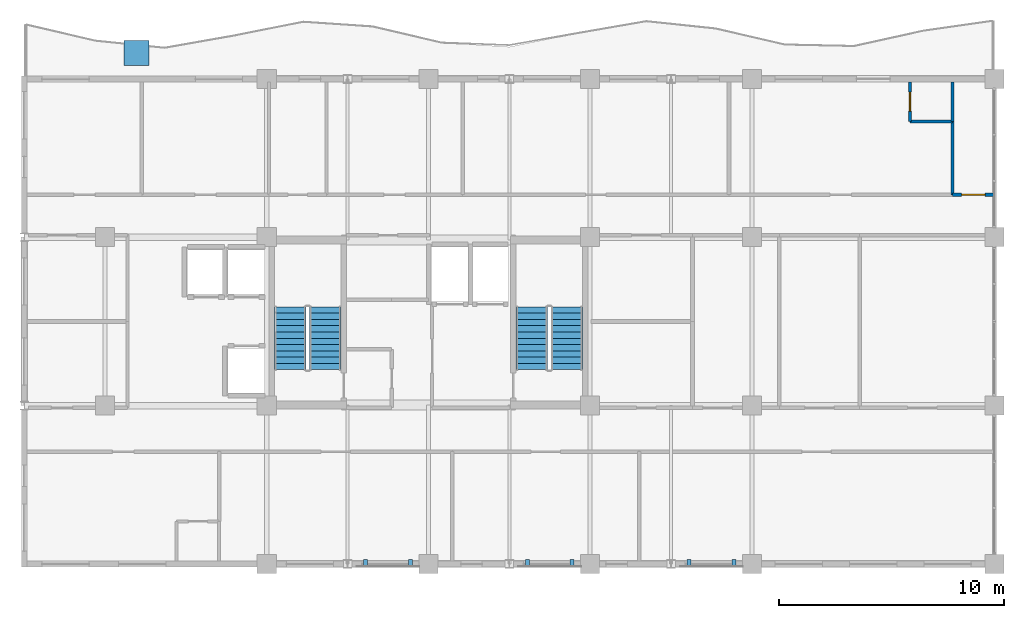
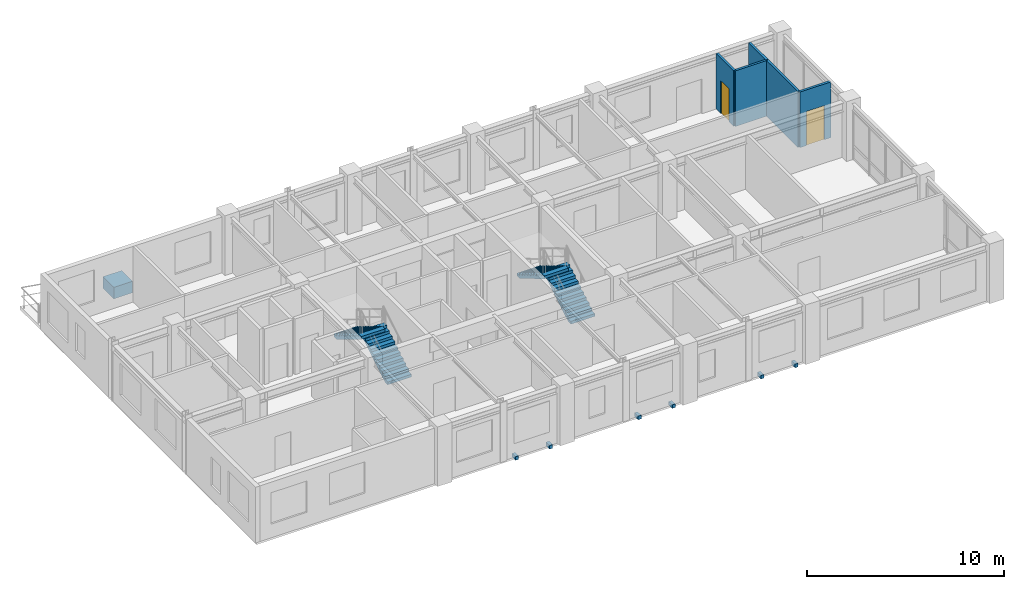
# One storey, part 9 of 11: 7 discrete accessories, 5 walls, 4 stair flights, 2 doors, 2 openings, 2 elements without a shape of their own.
"""IFC4 building model written with IfcOpenShell, lengths in metres."""

from ifc_helpers import new_model, si_unit, direction, frame, frame_2d, origin, origin_2d, place, context, subcontext, project, spatial, polyline, rectangle, outline, extrude, source, transform, mapped, material, layer, layer_set, type_object, element, fill, aggregate, save


model = new_model("IFC4")

# Units and contexts
model_context = context("Model", 3, precision=1e-05, world=origin(), true_north=direction((0.0, 1.0)))
body_context = subcontext(model_context, "Body", "Model", "MODEL_VIEW")
ifc_project = project(units=[si_unit("LENGTHUNIT", "METRE"), si_unit("AREAUNIT", "SQUARE_METRE"), si_unit("VOLUMEUNIT", "CUBIC_METRE"), si_unit("PLANEANGLEUNIT", "RADIAN"), si_unit("MASSUNIT", "GRAM", prefix="KILO")], contexts=[model_context])

# Site, building, storey
site_placement = place(None, origin())
site = spatial("IfcSite", under=ifc_project, at=site_placement, CompositionType="ELEMENT")
building_placement = place(site_placement, origin())
building = spatial("IfcBuilding", under=site, at=building_placement, Name="Kaliganga Portal Commons", CompositionType="ELEMENT")
storey_placement = place(building_placement, frame((0.0, 0.0, 257.300048828125)))
storey = spatial("IfcBuildingStorey", under=building, at=storey_placement, Name="L66", CompositionType="ELEMENT", Elevation=257.300048828125)

# Wall, opening, door
ifc_material_1 = material(Name="Fire-Rated Gypsum Board on Steel Stud", Category="steel")
ifc_layer_1 = layer(ifc_material_1, 0.14990234375)
ifc_layer_set_1 = layer_set([ifc_layer_1], Name="Fire-Rated Gypsum Board on Steel Stud")
wall_type_1 = type_object("IfcWallType", Name="WL-PART-CORR-150", PredefinedType="PARTITIONING", material=ifc_layer_set_1)
wall_1_placement = place(storey_placement, frame((44.93994140625, 38.0400390625, 0.0), z_axis=(0.0, 0.0, 1.0), x_axis=(1.0, 0.0, 0.0)))
wall_1 = element("IfcWall", 1, at=wall_1_placement, inside=storey, type_object=wall_type_1, Name="Interior Partition L66-038", PredefinedType="PARTITIONING", context=body_context, shape_type="SweptSolid", body=[
    extrude(rectangle(XDim=1.840087890625, YDim=0.14990234375, at=frame_2d((0.919921875, 0.0))), origin(), (0.0, 0.0, 1.0), 3.454833984375),
])
opening_1_placement = place(wall_1_placement, frame((0.39501953125, 0.0, 0.0)))
opening_1 = element("IfcOpeningElement", 2, at=opening_1_placement, cuts=wall_1, Name="Opening UD-02", PredefinedType="OPENING", context=body_context, shape_type="SweptSolid", body=[
    extrude(rectangle(XDim=1.050048828125, YDim=2.1201171875, at=frame_2d((0.52490234375, 1.06005859375))), frame((0.0, 0.0849609375, 0.0), z_axis=(0.0, -1.0, 0.0), x_axis=(1.0, 0.0, 0.0)), (0.0, 0.0, 1.0), 0.169921875),
])
ifc_material_2 = material(Name="Accessible Wide-Leaf Acoustic Fire Door", Category="wood")
door_type_1 = type_object("IfcDoorType", Name="DR-ACC-1050", OperationType="NOTDEFINED", PredefinedType="DOOR", material=ifc_material_2)
door_1_placement = place(opening_1_placement, origin())
door_1 = element("IfcDoor", 3, at=door_1_placement, inside=storey, type_object=door_type_1, Name="Interior Door L66-AN07", OperationType="SINGLE_SWING_RIGHT", OverallHeight=2.1201171875, OverallWidth=1.050048828125, PredefinedType="DOOR", context=body_context, shape_type="SweptSolid", body=[
    extrude(rectangle(XDim=1.050048828125, YDim=2.1201171875, at=frame_2d((0.52490234375, 1.06005859375))), frame((0.0, 0.02490234375, 0.0), z_axis=(0.0, -1.0, 0.0), x_axis=(1.0, 0.0, 0.0)), (0.0, 0.0, 1.0), 0.050048828125),
])
fill(opening_1, door_1)

ifc_material_3 = material(Name="Cement-Board Wet-Room Partition", Category="gypsum")
ifc_layer_2 = layer(ifc_material_3, 0.135009765625)
ifc_layer_set_2 = layer_set([ifc_layer_2], Name="Cement-Board Wet-Room Partition")
wall_type_2 = type_object("IfcWallType", Name="WL-PART-WET-135", PredefinedType="PARTITIONING", material=ifc_layer_set_2)
wall_2_placement = place(storey_placement, frame((43.0400390625, 41.300048828125, 0.0), z_axis=(0.0, 0.0, 1.0), x_axis=(0.0, 1.0, 0.0)))
wall_2 = element("IfcWall", 4, at=wall_2_placement, inside=storey, type_object=wall_type_2, Name="Interior Partition L66-001", PredefinedType="PARTITIONING", context=body_context, shape_type="SweptSolid", body=[
    extrude(rectangle(XDim=1.76806640625, YDim=0.135009765625, at=frame_2d((0.884033203125, 0.0))), origin(), (0.0, 0.0, 1.0), 3.454833984375),
])
opening_2_placement = place(wall_2_placement, frame((0.458984375, 0.0, 0.0)))
opening_2 = element("IfcOpeningElement", 5, at=opening_2_placement, cuts=wall_2, Name="Opening WD-01", PredefinedType="OPENING", context=body_context, shape_type="SweptSolid", body=[
    extrude(rectangle(XDim=0.85009765625, YDim=2.0400390625, at=frame_2d((0.425048828125, 1.02001953125))), frame((0.0, 0.07763671875, 0.0), z_axis=(0.0, -1.0, 0.0), x_axis=(1.0, 0.0, 0.0)), (0.0, 0.0, 1.0), 0.155029296875),
])
ifc_material_4 = material(Name="Moisture-Resistant Laminate Timber Door", Category="wood")
door_type_2 = type_object("IfcDoorType", Name="DR-WET-850", OperationType="NOTDEFINED", PredefinedType="DOOR", material=ifc_material_4)
door_2_placement = place(opening_2_placement, origin())
door_2 = element("IfcDoor", 6, at=door_2_placement, inside=storey, type_object=door_type_2, Name="Interior Door L66-AN06E", OperationType="SINGLE_SWING_LEFT", OverallHeight=2.0400390625, OverallWidth=0.85009765625, PredefinedType="DOOR", context=body_context, shape_type="SweptSolid", body=[
    extrude(rectangle(XDim=0.85009765625, YDim=2.0400390625, at=frame_2d((0.425048828125, 1.02001953125))), frame((0.0, 0.02490234375, 0.0), z_axis=(0.0, -1.0, 0.0), x_axis=(1.0, 0.0, 0.0)), (0.0, 0.0, 1.0), 0.050048828125),
])
fill(opening_2, door_2)

# Walls
wall_3_placement = place(storey_placement, frame((44.93994140625, 41.300048828125, 0.0), z_axis=(0.0, 0.0, 1.0), x_axis=(0.0, 1.0, 0.0)))
element("IfcWall", 7, at=wall_3_placement, inside=storey, type_object=wall_type_2, Name="Interior Partition L66-002", PredefinedType="PARTITIONING", context=body_context, shape_type="SweptSolid", body=[
    extrude(rectangle(XDim=1.76806640625, YDim=0.135009765625, at=frame_2d((0.884033203125, 0.0))), origin(), (0.0, 0.0, 1.0), 3.454833984375),
])
wall_4_placement = place(storey_placement, frame((43.0400390625, 41.300048828125, 0.0), z_axis=(0.0, 0.0, 1.0), x_axis=(1.0, 0.0, 0.0)))
element("IfcWall", 8, at=wall_4_placement, inside=storey, type_object=wall_type_2, Name="Interior Partition L66-004", PredefinedType="PARTITIONING", context=body_context, shape_type="SweptSolid", body=[
    extrude(rectangle(XDim=1.89990234375, YDim=0.135009765625, at=frame_2d((0.949951171875, 0.0))), origin(), (0.0, 0.0, 1.0), 3.454833984375),
])
wall_5_placement = place(storey_placement, frame((44.93994140625, 38.0400390625, 0.0), z_axis=(0.0, 0.0, 1.0), x_axis=(0.0, 1.0, 0.0)))
element("IfcWall", 9, at=wall_5_placement, inside=storey, type_object=wall_type_2, Name="Interior Partition L66-055", PredefinedType="PARTITIONING", context=body_context, shape_type="SweptSolid", body=[
    extrude(rectangle(XDim=3.260009765625, YDim=0.135009765625, at=frame_2d((1.6298828125, 0.0))), origin(), (0.0, 0.0, 1.0), 3.454833984375),
])

# Stair, stair flights
ifc_material_5 = material(Name="Concrete C40/50", Category="concrete")
stair_type = type_object("IfcStairType", Name="ST-CORE-DOGLEG", PredefinedType="HALF_TURN_STAIR", material=ifc_material_5)
stair_1_placement = place(storey_placement, origin())
stair_1 = element("IfcStair", 10, at=stair_1_placement, inside=storey, type_object=stair_type, Name="L66 Protected Exit Stair ST-A1", PredefinedType="HALF_TURN_STAIR")
stair_flight_type = type_object("IfcStairFlightType", Name="STF-RC-1400", PredefinedType="STRAIGHT", material=ifc_material_5)
stair_flight_1_placement = place(storey_placement, frame((17.0, 30.25, 0.0), z_axis=(0.0, 0.0, 1.0), x_axis=(0.0, 1.0, 0.0)))
stair_flight_1 = element("IfcStairFlight", 11, at=stair_flight_1_placement, type_object=stair_flight_type, Name="ST-A1 flight 1", NumberOfRisers=11, NumberOfTreads=10, PredefinedType="STRAIGHT", RiserHeight=0.168181818, TreadLength=0.28, context=body_context, shape_type="SweptSolid", body=[
    extrude(outline(polyline([(0.0, 0.0), (0.0, 0.168212890625), (0.280029296875, 0.168212890625), (0.280029296875, 0.33642578125), (0.56005859375, 0.33642578125), (0.56005859375, 0.504638671875), (0.840087890625, 0.504638671875), (0.840087890625, 0.672607421875), (1.1201171875, 0.672607421875), (1.1201171875, 0.8408203125), (1.39990234375, 0.8408203125), (1.39990234375, 1.009033203125), (1.679931640625, 1.009033203125), (1.679931640625, 1.17724609375), (1.9599609375, 1.17724609375), (1.9599609375, 1.345458984375), (2.239990234375, 1.345458984375), (2.239990234375, 1.513671875), (2.52001953125, 1.513671875), (2.52001953125, 1.681884765625), (2.800048828125, 1.681884765625), (2.800048828125, 1.85009765625), (2.800048828125, 1.5068359375), (0.291015625, 0.0), (0.0, 0.0)])), frame((0.0, 0.699951171875, 0.0), z_axis=(0.0, -1.0, 0.0), x_axis=(1.0, 0.0, 0.0)), (0.0, 0.0, 1.0), 1.39990234375),
])
stair_flight_2_placement = place(storey_placement, frame((15.449951171875, 33.050048828125, 1.849853515625), z_axis=(0.0, 0.0, 1.0), x_axis=(0.0, -1.0, 0.0)))
stair_flight_2 = element("IfcStairFlight", 12, at=stair_flight_2_placement, type_object=stair_flight_type, Name="ST-A1 flight 2", NumberOfRisers=11, NumberOfTreads=10, PredefinedType="STRAIGHT", RiserHeight=0.168181818, TreadLength=0.28, context=body_context, shape_type="SweptSolid", body=[
    extrude(outline(polyline([(0.0, 0.0), (0.0, 0.168212890625), (0.280029296875, 0.168212890625), (0.280029296875, 0.33642578125), (0.56005859375, 0.33642578125), (0.56005859375, 0.504638671875), (0.840087890625, 0.504638671875), (0.840087890625, 0.672607421875), (1.1201171875, 0.672607421875), (1.1201171875, 0.8408203125), (1.39990234375, 0.8408203125), (1.39990234375, 1.009033203125), (1.679931640625, 1.009033203125), (1.679931640625, 1.17724609375), (1.9599609375, 1.17724609375), (1.9599609375, 1.345458984375), (2.239990234375, 1.345458984375), (2.239990234375, 1.513671875), (2.52001953125, 1.513671875), (2.52001953125, 1.681884765625), (2.800048828125, 1.681884765625), (2.800048828125, 1.85009765625), (2.800048828125, 1.5068359375), (0.291015625, 0.0), (0.0, 0.0)])), frame((0.0, 0.699951171875, 0.0), z_axis=(0.0, -1.0, 0.0), x_axis=(1.0, 0.0, 0.0)), (0.0, 0.0, 1.0), 1.39990234375),
])
aggregate(stair_1, [stair_flight_1, stair_flight_2])

stair_2_placement = place(storey_placement, origin())
stair_2 = element("IfcStair", 13, at=stair_2_placement, inside=storey, type_object=stair_type, Name="L66 Protected Exit Stair ST-A2", PredefinedType="HALF_TURN_STAIR")
stair_flight_3_placement = place(storey_placement, frame((27.75, 30.25, 0.0), z_axis=(0.0, 0.0, 1.0), x_axis=(0.0, 1.0, 0.0)))
stair_flight_3 = element("IfcStairFlight", 14, at=stair_flight_3_placement, type_object=stair_flight_type, Name="ST-A2 flight 1", NumberOfRisers=11, NumberOfTreads=10, PredefinedType="STRAIGHT", RiserHeight=0.168181818, TreadLength=0.28, context=body_context, shape_type="SweptSolid", body=[
    extrude(outline(polyline([(0.0, 0.0), (0.0, 0.168212890625), (0.280029296875, 0.168212890625), (0.280029296875, 0.33642578125), (0.56005859375, 0.33642578125), (0.56005859375, 0.504638671875), (0.840087890625, 0.504638671875), (0.840087890625, 0.672607421875), (1.1201171875, 0.672607421875), (1.1201171875, 0.8408203125), (1.39990234375, 0.8408203125), (1.39990234375, 1.009033203125), (1.679931640625, 1.009033203125), (1.679931640625, 1.17724609375), (1.9599609375, 1.17724609375), (1.9599609375, 1.345458984375), (2.239990234375, 1.345458984375), (2.239990234375, 1.513671875), (2.52001953125, 1.513671875), (2.52001953125, 1.681884765625), (2.800048828125, 1.681884765625), (2.800048828125, 1.85009765625), (2.800048828125, 1.5068359375), (0.291015625, 0.0), (0.0, 0.0)])), frame((0.0, 0.699951171875, 0.0), z_axis=(0.0, -1.0, 0.0), x_axis=(1.0, 0.0, 0.0)), (0.0, 0.0, 1.0), 1.39990234375),
])
stair_flight_4_placement = place(storey_placement, frame((26.199951171875, 33.050048828125, 1.849853515625), z_axis=(0.0, 0.0, 1.0), x_axis=(0.0, -1.0, 0.0)))
stair_flight_4 = element("IfcStairFlight", 15, at=stair_flight_4_placement, type_object=stair_flight_type, Name="ST-A2 flight 2", NumberOfRisers=11, NumberOfTreads=10, PredefinedType="STRAIGHT", RiserHeight=0.168181818, TreadLength=0.28, context=body_context, shape_type="SweptSolid", body=[
    extrude(outline(polyline([(0.0, 0.0), (0.0, 0.168212890625), (0.280029296875, 0.168212890625), (0.280029296875, 0.33642578125), (0.56005859375, 0.33642578125), (0.56005859375, 0.504638671875), (0.840087890625, 0.504638671875), (0.840087890625, 0.672607421875), (1.1201171875, 0.672607421875), (1.1201171875, 0.8408203125), (1.39990234375, 0.8408203125), (1.39990234375, 1.009033203125), (1.679931640625, 1.009033203125), (1.679931640625, 1.17724609375), (1.9599609375, 1.17724609375), (1.9599609375, 1.345458984375), (2.239990234375, 1.345458984375), (2.239990234375, 1.513671875), (2.52001953125, 1.513671875), (2.52001953125, 1.681884765625), (2.800048828125, 1.681884765625), (2.800048828125, 1.85009765625), (2.800048828125, 1.5068359375), (0.291015625, 0.0), (0.0, 0.0)])), frame((0.0, 0.699951171875, 0.0), z_axis=(0.0, -1.0, 0.0), x_axis=(1.0, 0.0, 0.0)), (0.0, 0.0, 1.0), 1.39990234375),
])
aggregate(stair_2, [stair_flight_3, stair_flight_4])

# Discrete accessories
ifc_material_6 = material(Name="Precast concrete C40/50", Category="concrete")
discrete_accessory_type_1 = type_object("IfcDiscreteAccessoryType", Name="DAC-PLANTER-RC", PredefinedType="USERDEFINED", material=ifc_material_6)
shared_shape_1 = source(origin(), body_context, "Body", "SweptSolid", [
    extrude(rectangle(XDim=1.10009765625, YDim=1.10009765625, at=origin_2d()), origin(), (0.0, 0.0, 1.0), 0.719970703125),
])
discrete_accessory_placement = place(storey_placement, frame((8.60009765625, 44.35009765625, 0.0), z_axis=(0.0, 0.0, 1.0), x_axis=(1.0, 0.0, 0.0)))
element("IfcDiscreteAccessory", 16, at=discrete_accessory_placement, inside=storey, type_object=discrete_accessory_type_1, Name="Structural Tree Planter L66 balc_north", ObjectType="PLANTER", PredefinedType="USERDEFINED", context=body_context, shape_type="MappedRepresentation", body=[
    mapped(shared_shape_1, transform((0.0, 0.0, 0.0), x_axis=(1.0, 0.0, 0.0), y_axis=(0.0, 1.0, 0.0), z_axis=(0.0, 0.0, 1.0), scale=1.0)),
])
ifc_material_7 = material(Name="Structural steel S355J2", Category="steel")
discrete_accessory_type_2 = type_object("IfcDiscreteAccessoryType", Name="DAC-BRK-SCR", PredefinedType="BRACKET", material=ifc_material_7)
shared_shape_2 = source(origin(), body_context, "Body", "SweptSolid", [
    extrude(rectangle(XDim=0.179931640625, YDim=0.360107421875, at=origin_2d()), origin(), (0.0, 0.0, 1.0), 0.219970703125),
])
for number, where, z_axis, x_axis, name in (
    (17, (18.800048828125, 21.6201171875, -0.18994140625), (0.0, 0.0, 1.0), (1.0, 0.0, 0.0), "Solar Screen Outrigger Bracket L66-S1-1"),
    (18, (20.800048828125, 21.6201171875, -0.18994140625), (0.0, 0.0, 1.0), (1.0, 0.0, 0.0), "Solar Screen Outrigger Bracket L66-S1-2"),
    (19, (26.0, 21.6201171875, -0.18994140625), (0.0, 0.0, 1.0), (1.0, 0.0, 0.0), "Solar Screen Outrigger Bracket L66-S2-1"),
    (20, (28.0, 21.6201171875, -0.18994140625), (0.0, 0.0, 1.0), (1.0, 0.0, 0.0), "Solar Screen Outrigger Bracket L66-S2-2"),
    (21, (33.199951171875, 21.6201171875, -0.18994140625), (0.0, 0.0, 1.0), (1.0, 0.0, 0.0), "Solar Screen Outrigger Bracket L66-S3-1"),
    (22, (35.199951171875, 21.6201171875, -0.18994140625), (0.0, 0.0, 1.0), (1.0, 0.0, 0.0), "Solar Screen Outrigger Bracket L66-S3-2"),
):
    element("IfcDiscreteAccessory", number, at=place(storey_placement, frame(where, z_axis=z_axis, x_axis=x_axis)), inside=storey, type_object=discrete_accessory_type_2, Name=name, PredefinedType="BRACKET", context=body_context, shape_type="MappedRepresentation", body=[
        mapped(shared_shape_2, transform((0.0, 0.0, 0.0), x_axis=(1.0, 0.0, 0.0), y_axis=(0.0, 1.0, 0.0), z_axis=(0.0, 0.0, 1.0), scale=1.0)),
    ])

save(model, "model.ifc")
